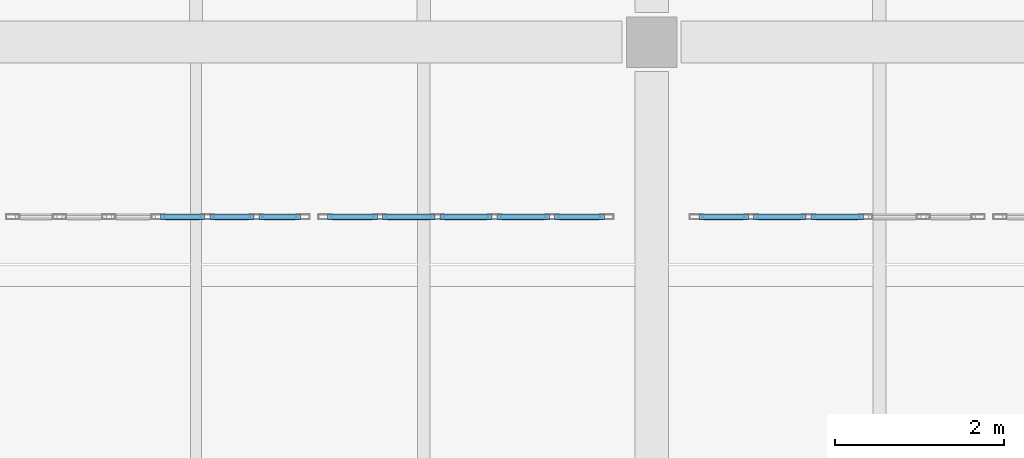
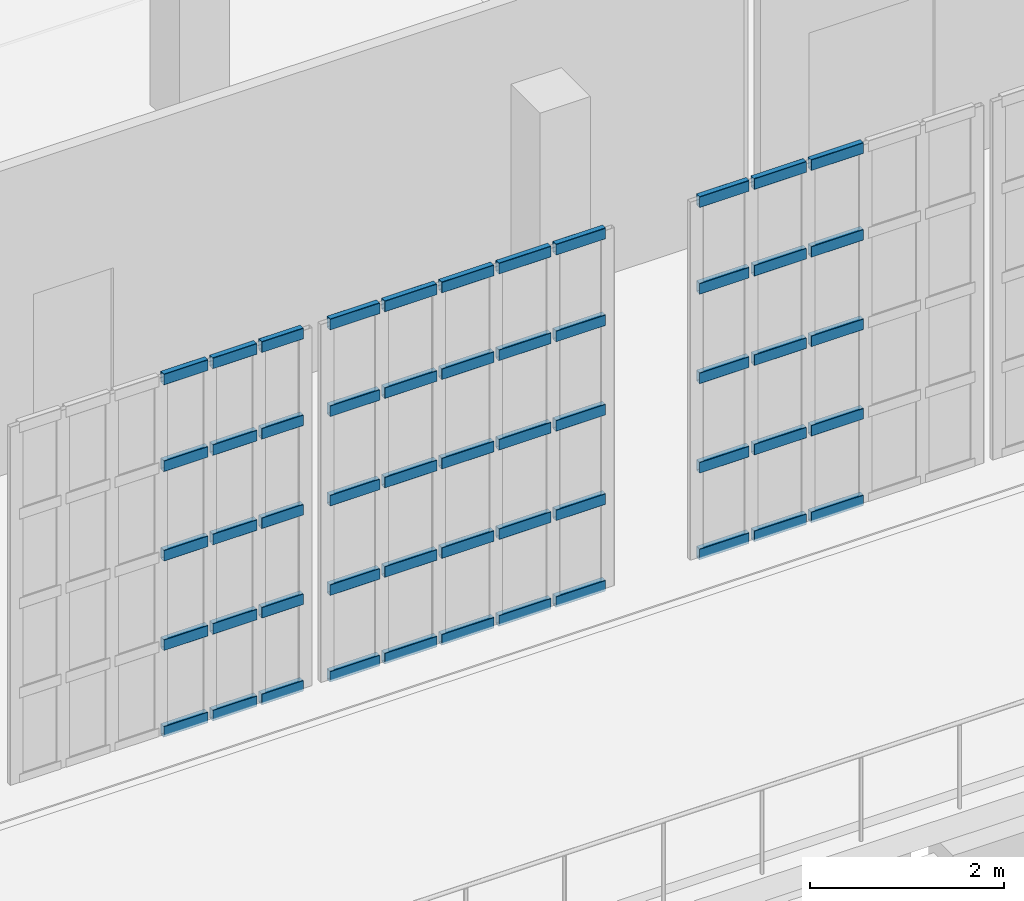
# One storey, part 54 of 104: 55 members, 3 elements without a shape of their own.
"""IFC4 building model written with IfcOpenShell, lengths in metres."""

import ifcopenshell
import ifcopenshell.guid

model = None  # the IFC model being written
_history = None  # IfcOwnerHistory: only IFC2X3 demands one
_inside = {}  # id of a spatial element -> (the spatial element, [elements in it])
_under = {}  # id of a project, library or spatial element -> (it, [spatial elements below it])
_declared = {}  # id of a project -> (the project, [libraries it declares])
_typed = {}  # id of a type object -> (the type object, [elements of that type])
_made_of = {}  # id of a material, layer set ... -> (it, [elements and type objects made of it])


def new_model(schema):
    """Start an empty IFC model of exactly this schema.

    Asked for "IFC4X3", IfcOpenShell would pick the latest addendum, in which some entities
    have other attributes; the version numbers below select the first issue.
    IFC2X3 requires an IfcOwnerHistory on every rooted entity: one is made here for all.
    """
    global model, _history
    if schema == "IFC4X3":
        model = ifcopenshell.file(schema_version=(4, 3, 0, 0))
    else:
        model = ifcopenshell.file(schema=schema)
    _inside.clear()
    _under.clear()
    _declared.clear()
    _typed.clear()
    _made_of.clear()
    _history = None
    if model.schema == "IFC2X3":
        org = make("IfcOrganization", Name="unknown")
        user = make(
            "IfcPersonAndOrganization",
            ThePerson=make("IfcPerson", FamilyName="unknown"),
            TheOrganization=org,
        )
        app = make(
            "IfcApplication",
            ApplicationDeveloper=org,
            Version="unknown",
            ApplicationFullName="unknown",
            ApplicationIdentifier="unknown",
        )
        _history = make(
            "IfcOwnerHistory",
            OwningUser=user,
            OwningApplication=app,
            ChangeAction="ADDED",
            CreationDate=0,
        )
    return model


def make(cls, **values):
    """One entity of the class cls with the attributes given. An attribute that is None is left unset."""
    return model.create_entity(
        cls, **{name: value for name, value in values.items() if value is not None}
    )


def rooted(cls, **values):
    """An entity with a GlobalId (a new one), such as an element, a storey or a relation."""
    return make(cls, GlobalId=ifcopenshell.guid.new(), OwnerHistory=_history, **values)


def si_unit(unit_type, name, prefix=None):
    """IfcSIUnit, for example si_unit("LENGTHUNIT", "METRE", prefix="MILLI")."""
    return make("IfcSIUnit", UnitType=unit_type, Prefix=prefix, Name=name)


def assignment(units):
    """IfcUnitAssignment: the units of a project."""
    return None if units is None else make("IfcUnitAssignment", Units=units)


def point(xyz):
    """IfcCartesianPoint."""
    return None if xyz is None else make("IfcCartesianPoint", Coordinates=xyz)


def direction(xyz):
    """IfcDirection."""
    return None if xyz is None else make("IfcDirection", DirectionRatios=xyz)


def frame(location, z_axis=None, x_axis=None):
    """IfcAxis2Placement3D, a coordinate frame: its origin and axes. An axis left out is left unset."""
    return make(
        "IfcAxis2Placement3D",
        Location=point(location),
        Axis=direction(z_axis),
        RefDirection=direction(x_axis),
    )


def frame_2d(location, x_axis=None):
    """IfcAxis2Placement2D, a coordinate frame in the plane: its origin and x axis."""
    return make(
        "IfcAxis2Placement2D", Location=point(location), RefDirection=direction(x_axis)
    )


def origin():
    """The frame at (0, 0, 0) with its axes left unset."""
    return frame((0.0, 0.0, 0.0))


def origin_2d():
    """The frame at (0, 0) in the plane with its x axis left unset."""
    return frame_2d((0.0, 0.0))


def place(relative_to, where):
    """IfcLocalPlacement: puts the frame where relative to a parent placement (None: the world)."""
    return make(
        "IfcLocalPlacement", PlacementRelTo=relative_to, RelativePlacement=where
    )


def context(
    kind, dimensions, precision=None, world=None, true_north=None, identifier=None
):
    """IfcGeometricRepresentationContext, for example the 3D "Model" context."""
    return make(
        "IfcGeometricRepresentationContext",
        ContextIdentifier=identifier,
        ContextType=kind,
        CoordinateSpaceDimension=dimensions,
        Precision=precision,
        WorldCoordinateSystem=world,
        TrueNorth=true_north,
    )


def subcontext(parent, identifier, kind, view, scale=None):
    """IfcGeometricRepresentationSubContext, for example "Body" below "Model"."""
    return make(
        "IfcGeometricRepresentationSubContext",
        ContextIdentifier=identifier,
        ContextType=kind,
        ParentContext=parent,
        TargetScale=scale,
        TargetView=view,
    )


def project(units=None, contexts=None):
    """IfcProject with its units and contexts."""
    return rooted(
        "IfcProject",
        Name="project",
        RepresentationContexts=contexts,
        UnitsInContext=assignment(units),
    )


def spatial(cls, under=None, at=None, **own):
    """A site, building, storey or space (cls), placed at a placement, below another one or the project."""
    s = rooted(cls, ObjectPlacement=at, **own)
    if under is not None:
        _under.setdefault(under.id(), (under, []))[1].append(s)
    return s


def profile(cls, at=None, kind="AREA", **sizes):
    """A parametric profile (cls). Its sizes go by their IFC names, for example OverallWidth=200.0."""
    return make(cls, ProfileType=kind, Position=at, **sizes)


def hollow_rectangle(**sizes):
    """IfcRectangleHollowProfileDef."""
    return profile("IfcRectangleHollowProfileDef", **sizes)


def extrude(swept, where, along, depth):
    """IfcExtrudedAreaSolid: the profile swept, set in the frame where, extruded along a direction by depth."""
    return make(
        "IfcExtrudedAreaSolid",
        SweptArea=swept,
        Position=where,
        ExtrudedDirection=direction(along),
        Depth=depth,
    )


def shape(context_of_items, identifier, shape_type, items):
    """IfcShapeRepresentation: the items that make up one representation, for example the "Body"."""
    return make(
        "IfcShapeRepresentation",
        ContextOfItems=context_of_items,
        RepresentationIdentifier=identifier,
        RepresentationType=shape_type,
        Items=items,
    )


def material(Name=None, Category=None):
    """IfcMaterial."""
    return make("IfcMaterial", Name=Name, Category=Category)


def material_profile(
    of_material, cross_section, Name=None, Category=None, Priority=None
):
    """IfcMaterialProfile: a cross section and its material."""
    return make(
        "IfcMaterialProfile",
        Name=Name,
        Material=of_material,
        Profile=cross_section,
        Priority=Priority,
        Category=Category,
    )


def profile_set(profiles, Name=None, composite=None):
    """IfcMaterialProfileSet."""
    return make(
        "IfcMaterialProfileSet",
        Name=Name,
        MaterialProfiles=profiles,
        CompositeProfile=composite,
    )


def made_of(thing, what):
    """Note that an element or type object is made of a material, layer set ...; save() writes the relation."""
    if what is not None:
        _made_of.setdefault(what.id(), (what, []))[1].append(thing)
    return thing


def type_object(cls, material=None, **own):
    """A type object (cls), such as IfcWallType, which elements share."""
    return made_of(rooted(cls, **own), material)


def element(
    cls,
    number,
    at=None,
    inside=None,
    cuts=None,
    type_object=None,
    material=None,
    context=None,
    identifier="Body",
    shape_type=None,
    held_by="IfcProductDefinitionShape",
    body=None,
    shapes=None,
    **own,
):
    """One element of the class cls, such as IfcWall. Its Tag is "e" and its number.

    at: its placement. inside: the storey or other place that contains it. cuts: it is an
    opening in that element (IfcRelVoidsElement). A single representation is given by context,
    identifier, shape_type and body (its items); several are given by shapes. held_by: the class
    of the entity that holds the representations. save() writes the other relations.
    """
    e = rooted(cls, Tag="e%d" % number, ObjectPlacement=at, **own)
    if body is not None:
        shapes = [shape(context, identifier, shape_type, body)]
    if shapes is not None:
        e.Representation = make(held_by, Representations=shapes)
    if inside is not None:
        _inside.setdefault(inside.id(), (inside, []))[1].append(e)
    if cuts is not None:
        rooted(
            "IfcRelVoidsElement", RelatingBuildingElement=cuts, RelatedOpeningElement=e
        )
    if type_object is not None:
        _typed.setdefault(type_object.id(), (type_object, []))[1].append(e)
    return made_of(e, material)


def aggregate(whole, parts):
    """IfcRelAggregates: a whole, such as a stair, and the parts it consists of."""
    return rooted("IfcRelAggregates", RelatingObject=whole, RelatedObjects=parts)


def save(model, path):
    """Write the relations noted so far, then the file.

    IfcRelAggregates (storeys below a building ...), IfcRelContainedInSpatialStructure (elements
    in a storey), IfcRelDefinesByType, IfcRelAssociatesMaterial and IfcRelDeclares: one each for
    every whole, place, type object, material and project.
    """
    for whole, parts in _under.values():
        aggregate(whole, parts)
    for where, things in _inside.values():
        rooted(
            "IfcRelContainedInSpatialStructure",
            RelatedElements=things,
            RelatingStructure=where,
        )
    for kind, things in _typed.values():
        rooted("IfcRelDefinesByType", RelatedObjects=things, RelatingType=kind)
    for what, things in _made_of.values():
        rooted("IfcRelAssociatesMaterial", RelatedObjects=things, RelatingMaterial=what)
    for by, libraries in _declared.values():
        rooted("IfcRelDeclares", RelatingContext=by, RelatedDefinitions=libraries)
    model.write(path)


model = new_model("IFC4")

# Units and contexts
model_context = context("Model", 3, precision=1e-05, world=origin(), true_north=direction((0.0, 1.0)))
body_context = subcontext(model_context, "Body", "Model", "MODEL_VIEW")
ifc_project = project(units=[si_unit("LENGTHUNIT", "METRE"), si_unit("AREAUNIT", "SQUARE_METRE"), si_unit("VOLUMEUNIT", "CUBIC_METRE"), si_unit("PLANEANGLEUNIT", "RADIAN"), si_unit("MASSUNIT", "GRAM", prefix="KILO")], contexts=[model_context])

# Site, building, storey
site_placement = place(None, origin())
site = spatial("IfcSite", under=ifc_project, at=site_placement, CompositionType="ELEMENT")
building_placement = place(site_placement, origin())
building = spatial("IfcBuilding", under=site, at=building_placement, Name="Kaelora Sail Theatre", CompositionType="ELEMENT")
storey_placement = place(building_placement, frame((0.0, 0.0, 5.39990234375)))
storey = spatial("IfcBuildingStorey", under=building, at=storey_placement, Name="L01", CompositionType="ELEMENT", Elevation=5.39990234375)

# Curtain wall, members
ifc_material_1 = material(Name="Anodised aluminium and solar-control low-E IGU", Category="aluminium")
curtain_wall_type = type_object("IfcCurtainWallType", Name="ARC-CW-CW-FOY2", PredefinedType="NOTDEFINED", material=ifc_material_1)
curtain_wall_1_placement = place(storey_placement, origin())
curtain_wall_1 = element("IfcCurtainWall", 1, at=curtain_wall_1_placement, inside=storey, type_object=curtain_wall_type, Name="Glazed Foyer/Conservatory Curtain Wall FW1-S-L01-02", PredefinedType="NOTDEFINED")
ifc_material_2 = material(Name="Anodised aluminium 6063-T6", Category="aluminium")
ifc_material_profile = material_profile(ifc_material_2, hollow_rectangle(XDim=0.070068359375, YDim=0.139892578125, WallThickness=0.00390625, InnerFilletRadius=0.00390625, OuterFilletRadius=0.008056640625, at=origin_2d()), Name="ALU-TRAN 70x140x4")
ifc_profile_set = profile_set([ifc_material_profile], Name="Anodised aluminium 6063-T6")
member_type = type_object("IfcMemberType", Name="ARC-MEM-TR-140", PredefinedType="USERDEFINED", material=ifc_profile_set)
member_1_placement = place(storey_placement, frame((11.8798828125, 66.389892578125, 0.03515625), z_axis=(1.0, 0.0, 0.0), x_axis=(0.0, 1.0, 0.0)))
member_1 = element("IfcMember", 2, at=member_1_placement, type_object=member_type, Name="CW-FOY2 transom 4.1", ObjectType="TRANSOM", PredefinedType="USERDEFINED", context=body_context, shape_type="SweptSolid", body=[
    extrude(hollow_rectangle(XDim=0.070068359375, YDim=0.139892578125, WallThickness=0.00390625, InnerFilletRadius=0.00390625, OuterFilletRadius=0.008056640625, at=origin_2d()), origin(), (0.0, 0.0, 1.0), 0.5234375),
])
member_2_placement = place(storey_placement, frame((11.8798828125, 66.389892578125, 1.12646484375), z_axis=(1.0, 0.0, 0.0), x_axis=(0.0, 1.0, 0.0)))
member_2 = element("IfcMember", 3, at=member_2_placement, type_object=member_type, Name="CW-FOY2 transom 4.2", ObjectType="TRANSOM", PredefinedType="USERDEFINED", context=body_context, shape_type="SweptSolid", body=[
    extrude(hollow_rectangle(XDim=0.070068359375, YDim=0.139892578125, WallThickness=0.00390625, InnerFilletRadius=0.00390625, OuterFilletRadius=0.008056640625, at=origin_2d()), origin(), (0.0, 0.0, 1.0), 0.5234375),
])
member_3_placement = place(storey_placement, frame((11.8798828125, 66.389892578125, 2.252685546875), z_axis=(1.0, 0.0, 0.0), x_axis=(0.0, 1.0, 0.0)))
member_3 = element("IfcMember", 4, at=member_3_placement, type_object=member_type, Name="CW-FOY2 transom 4.3", ObjectType="TRANSOM", PredefinedType="USERDEFINED", context=body_context, shape_type="SweptSolid", body=[
    extrude(hollow_rectangle(XDim=0.070068359375, YDim=0.139892578125, WallThickness=0.00390625, InnerFilletRadius=0.00390625, OuterFilletRadius=0.008056640625, at=origin_2d()), origin(), (0.0, 0.0, 1.0), 0.5234375),
])
member_4_placement = place(storey_placement, frame((11.8798828125, 66.389892578125, 3.37890625), z_axis=(1.0, 0.0, 0.0), x_axis=(0.0, 1.0, 0.0)))
member_4 = element("IfcMember", 5, at=member_4_placement, type_object=member_type, Name="CW-FOY2 transom 4.4", ObjectType="TRANSOM", PredefinedType="USERDEFINED", context=body_context, shape_type="SweptSolid", body=[
    extrude(hollow_rectangle(XDim=0.070068359375, YDim=0.139892578125, WallThickness=0.00390625, InnerFilletRadius=0.00390625, OuterFilletRadius=0.008056640625, at=origin_2d()), origin(), (0.0, 0.0, 1.0), 0.5234375),
])
member_5_placement = place(storey_placement, frame((11.8798828125, 66.389892578125, 4.47021484375), z_axis=(1.0, 0.0, 0.0), x_axis=(0.0, 1.0, 0.0)))
member_5 = element("IfcMember", 6, at=member_5_placement, type_object=member_type, Name="CW-FOY2 transom 4.5", ObjectType="TRANSOM", PredefinedType="USERDEFINED", context=body_context, shape_type="SweptSolid", body=[
    extrude(hollow_rectangle(XDim=0.070068359375, YDim=0.139892578125, WallThickness=0.00390625, InnerFilletRadius=0.00390625, OuterFilletRadius=0.008056640625, at=origin_2d()), origin(), (0.0, 0.0, 1.0), 0.5234375),
])
member_6_placement = place(storey_placement, frame((12.46337890625, 66.389892578125, 0.03515625), z_axis=(1.0, 0.0, 0.0), x_axis=(0.0, 1.0, 0.0)))
member_6 = element("IfcMember", 7, at=member_6_placement, type_object=member_type, Name="CW-FOY2 transom 5.1", ObjectType="TRANSOM", PredefinedType="USERDEFINED", context=body_context, shape_type="SweptSolid", body=[
    extrude(hollow_rectangle(XDim=0.070068359375, YDim=0.139892578125, WallThickness=0.00390625, InnerFilletRadius=0.00390625, OuterFilletRadius=0.008056640625, at=origin_2d()), origin(), (0.0, 0.0, 1.0), 0.523193359375),
])
member_7_placement = place(storey_placement, frame((12.46337890625, 66.389892578125, 1.12646484375), z_axis=(1.0, 0.0, 0.0), x_axis=(0.0, 1.0, 0.0)))
member_7 = element("IfcMember", 8, at=member_7_placement, type_object=member_type, Name="CW-FOY2 transom 5.2", ObjectType="TRANSOM", PredefinedType="USERDEFINED", context=body_context, shape_type="SweptSolid", body=[
    extrude(hollow_rectangle(XDim=0.070068359375, YDim=0.139892578125, WallThickness=0.00390625, InnerFilletRadius=0.00390625, OuterFilletRadius=0.008056640625, at=origin_2d()), origin(), (0.0, 0.0, 1.0), 0.523193359375),
])
member_8_placement = place(storey_placement, frame((12.46337890625, 66.389892578125, 2.252685546875), z_axis=(1.0, 0.0, 0.0), x_axis=(0.0, 1.0, 0.0)))
member_8 = element("IfcMember", 9, at=member_8_placement, type_object=member_type, Name="CW-FOY2 transom 5.3", ObjectType="TRANSOM", PredefinedType="USERDEFINED", context=body_context, shape_type="SweptSolid", body=[
    extrude(hollow_rectangle(XDim=0.070068359375, YDim=0.139892578125, WallThickness=0.00390625, InnerFilletRadius=0.00390625, OuterFilletRadius=0.008056640625, at=origin_2d()), origin(), (0.0, 0.0, 1.0), 0.523193359375),
])
member_9_placement = place(storey_placement, frame((12.46337890625, 66.389892578125, 3.37890625), z_axis=(1.0, 0.0, 0.0), x_axis=(0.0, 1.0, 0.0)))
member_9 = element("IfcMember", 10, at=member_9_placement, type_object=member_type, Name="CW-FOY2 transom 5.4", ObjectType="TRANSOM", PredefinedType="USERDEFINED", context=body_context, shape_type="SweptSolid", body=[
    extrude(hollow_rectangle(XDim=0.070068359375, YDim=0.139892578125, WallThickness=0.00390625, InnerFilletRadius=0.00390625, OuterFilletRadius=0.008056640625, at=origin_2d()), origin(), (0.0, 0.0, 1.0), 0.523193359375),
])
member_10_placement = place(storey_placement, frame((12.46337890625, 66.389892578125, 4.47021484375), z_axis=(1.0, 0.0, 0.0), x_axis=(0.0, 1.0, 0.0)))
member_10 = element("IfcMember", 11, at=member_10_placement, type_object=member_type, Name="CW-FOY2 transom 5.5", ObjectType="TRANSOM", PredefinedType="USERDEFINED", context=body_context, shape_type="SweptSolid", body=[
    extrude(hollow_rectangle(XDim=0.070068359375, YDim=0.139892578125, WallThickness=0.00390625, InnerFilletRadius=0.00390625, OuterFilletRadius=0.008056640625, at=origin_2d()), origin(), (0.0, 0.0, 1.0), 0.523193359375),
])
member_11_placement = place(storey_placement, frame((13.046630859375, 66.389892578125, 0.03515625), z_axis=(1.0, 0.0, 0.0), x_axis=(0.0, 1.0, 0.0)))
member_11 = element("IfcMember", 12, at=member_11_placement, type_object=member_type, Name="CW-FOY2 transom 6.1", ObjectType="TRANSOM", PredefinedType="USERDEFINED", context=body_context, shape_type="SweptSolid", body=[
    extrude(hollow_rectangle(XDim=0.070068359375, YDim=0.139892578125, WallThickness=0.00390625, InnerFilletRadius=0.00390625, OuterFilletRadius=0.008056640625, at=origin_2d()), origin(), (0.0, 0.0, 1.0), 0.493408203125),
])
member_12_placement = place(storey_placement, frame((13.046630859375, 66.389892578125, 1.12646484375), z_axis=(1.0, 0.0, 0.0), x_axis=(0.0, 1.0, 0.0)))
member_12 = element("IfcMember", 13, at=member_12_placement, type_object=member_type, Name="CW-FOY2 transom 6.2", ObjectType="TRANSOM", PredefinedType="USERDEFINED", context=body_context, shape_type="SweptSolid", body=[
    extrude(hollow_rectangle(XDim=0.070068359375, YDim=0.139892578125, WallThickness=0.00390625, InnerFilletRadius=0.00390625, OuterFilletRadius=0.008056640625, at=origin_2d()), origin(), (0.0, 0.0, 1.0), 0.493408203125),
])
member_13_placement = place(storey_placement, frame((13.046630859375, 66.389892578125, 2.252685546875), z_axis=(1.0, 0.0, 0.0), x_axis=(0.0, 1.0, 0.0)))
member_13 = element("IfcMember", 14, at=member_13_placement, type_object=member_type, Name="CW-FOY2 transom 6.3", ObjectType="TRANSOM", PredefinedType="USERDEFINED", context=body_context, shape_type="SweptSolid", body=[
    extrude(hollow_rectangle(XDim=0.070068359375, YDim=0.139892578125, WallThickness=0.00390625, InnerFilletRadius=0.00390625, OuterFilletRadius=0.008056640625, at=origin_2d()), origin(), (0.0, 0.0, 1.0), 0.493408203125),
])
member_14_placement = place(storey_placement, frame((13.046630859375, 66.389892578125, 3.37890625), z_axis=(1.0, 0.0, 0.0), x_axis=(0.0, 1.0, 0.0)))
member_14 = element("IfcMember", 15, at=member_14_placement, type_object=member_type, Name="CW-FOY2 transom 6.4", ObjectType="TRANSOM", PredefinedType="USERDEFINED", context=body_context, shape_type="SweptSolid", body=[
    extrude(hollow_rectangle(XDim=0.070068359375, YDim=0.139892578125, WallThickness=0.00390625, InnerFilletRadius=0.00390625, OuterFilletRadius=0.008056640625, at=origin_2d()), origin(), (0.0, 0.0, 1.0), 0.493408203125),
])
member_15_placement = place(storey_placement, frame((13.046630859375, 66.389892578125, 4.47021484375), z_axis=(1.0, 0.0, 0.0), x_axis=(0.0, 1.0, 0.0)))
member_15 = element("IfcMember", 16, at=member_15_placement, type_object=member_type, Name="CW-FOY2 transom 6.5", ObjectType="TRANSOM", PredefinedType="USERDEFINED", context=body_context, shape_type="SweptSolid", body=[
    extrude(hollow_rectangle(XDim=0.070068359375, YDim=0.139892578125, WallThickness=0.00390625, InnerFilletRadius=0.00390625, OuterFilletRadius=0.008056640625, at=origin_2d()), origin(), (0.0, 0.0, 1.0), 0.493408203125),
])
aggregate(curtain_wall_1, [member_1, member_2, member_3, member_4, member_5, member_6, member_7, member_8, member_9, member_10, member_11, member_12, member_13, member_14, member_15])

curtain_wall_2_placement = place(storey_placement, origin())
curtain_wall_2 = element("IfcCurtainWall", 17, at=curtain_wall_2_placement, inside=storey, type_object=curtain_wall_type, Name="Glazed Foyer/Conservatory Curtain Wall FW1-S-L01-03", PredefinedType="NOTDEFINED")
member_16_placement = place(storey_placement, frame((13.860107421875, 66.389892578125, 0.03515625), z_axis=(1.0, 0.0, 0.0), x_axis=(0.0, 1.0, 0.0)))
member_16 = element("IfcMember", 18, at=member_16_placement, type_object=member_type, Name="CW-FOY2 transom 1.1", ObjectType="TRANSOM", PredefinedType="USERDEFINED", context=body_context, shape_type="SweptSolid", body=[
    extrude(hollow_rectangle(XDim=0.070068359375, YDim=0.139892578125, WallThickness=0.00390625, InnerFilletRadius=0.00390625, OuterFilletRadius=0.008056640625, at=origin_2d()), origin(), (0.0, 0.0, 1.0), 0.58984375),
])
member_17_placement = place(storey_placement, frame((13.860107421875, 66.389892578125, 1.12646484375), z_axis=(1.0, 0.0, 0.0), x_axis=(0.0, 1.0, 0.0)))
member_17 = element("IfcMember", 19, at=member_17_placement, type_object=member_type, Name="CW-FOY2 transom 1.2", ObjectType="TRANSOM", PredefinedType="USERDEFINED", context=body_context, shape_type="SweptSolid", body=[
    extrude(hollow_rectangle(XDim=0.070068359375, YDim=0.139892578125, WallThickness=0.00390625, InnerFilletRadius=0.00390625, OuterFilletRadius=0.008056640625, at=origin_2d()), origin(), (0.0, 0.0, 1.0), 0.58984375),
])
member_18_placement = place(storey_placement, frame((13.860107421875, 66.389892578125, 2.252685546875), z_axis=(1.0, 0.0, 0.0), x_axis=(0.0, 1.0, 0.0)))
member_18 = element("IfcMember", 20, at=member_18_placement, type_object=member_type, Name="CW-FOY2 transom 1.3", ObjectType="TRANSOM", PredefinedType="USERDEFINED", context=body_context, shape_type="SweptSolid", body=[
    extrude(hollow_rectangle(XDim=0.070068359375, YDim=0.139892578125, WallThickness=0.00390625, InnerFilletRadius=0.00390625, OuterFilletRadius=0.008056640625, at=origin_2d()), origin(), (0.0, 0.0, 1.0), 0.58984375),
])
member_19_placement = place(storey_placement, frame((13.860107421875, 66.389892578125, 3.37890625), z_axis=(1.0, 0.0, 0.0), x_axis=(0.0, 1.0, 0.0)))
member_19 = element("IfcMember", 21, at=member_19_placement, type_object=member_type, Name="CW-FOY2 transom 1.4", ObjectType="TRANSOM", PredefinedType="USERDEFINED", context=body_context, shape_type="SweptSolid", body=[
    extrude(hollow_rectangle(XDim=0.070068359375, YDim=0.139892578125, WallThickness=0.00390625, InnerFilletRadius=0.00390625, OuterFilletRadius=0.008056640625, at=origin_2d()), origin(), (0.0, 0.0, 1.0), 0.58984375),
])
member_20_placement = place(storey_placement, frame((13.860107421875, 66.389892578125, 4.47021484375), z_axis=(1.0, 0.0, 0.0), x_axis=(0.0, 1.0, 0.0)))
member_20 = element("IfcMember", 22, at=member_20_placement, type_object=member_type, Name="CW-FOY2 transom 1.5", ObjectType="TRANSOM", PredefinedType="USERDEFINED", context=body_context, shape_type="SweptSolid", body=[
    extrude(hollow_rectangle(XDim=0.070068359375, YDim=0.139892578125, WallThickness=0.00390625, InnerFilletRadius=0.00390625, OuterFilletRadius=0.008056640625, at=origin_2d()), origin(), (0.0, 0.0, 1.0), 0.58984375),
])
member_21_placement = place(storey_placement, frame((14.510009765625, 66.389892578125, 0.03515625), z_axis=(1.0, 0.0, 0.0), x_axis=(0.0, 1.0, 0.0)))
member_21 = element("IfcMember", 23, at=member_21_placement, type_object=member_type, Name="CW-FOY2 transom 2.1", ObjectType="TRANSOM", PredefinedType="USERDEFINED", context=body_context, shape_type="SweptSolid", body=[
    extrude(hollow_rectangle(XDim=0.070068359375, YDim=0.139892578125, WallThickness=0.00390625, InnerFilletRadius=0.00390625, OuterFilletRadius=0.008056640625, at=origin_2d()), origin(), (0.0, 0.0, 1.0), 0.619873046875),
])
member_22_placement = place(storey_placement, frame((14.510009765625, 66.389892578125, 1.12646484375), z_axis=(1.0, 0.0, 0.0), x_axis=(0.0, 1.0, 0.0)))
member_22 = element("IfcMember", 24, at=member_22_placement, type_object=member_type, Name="CW-FOY2 transom 2.2", ObjectType="TRANSOM", PredefinedType="USERDEFINED", context=body_context, shape_type="SweptSolid", body=[
    extrude(hollow_rectangle(XDim=0.070068359375, YDim=0.139892578125, WallThickness=0.00390625, InnerFilletRadius=0.00390625, OuterFilletRadius=0.008056640625, at=origin_2d()), origin(), (0.0, 0.0, 1.0), 0.619873046875),
])
member_23_placement = place(storey_placement, frame((14.510009765625, 66.389892578125, 2.252685546875), z_axis=(1.0, 0.0, 0.0), x_axis=(0.0, 1.0, 0.0)))
member_23 = element("IfcMember", 25, at=member_23_placement, type_object=member_type, Name="CW-FOY2 transom 2.3", ObjectType="TRANSOM", PredefinedType="USERDEFINED", context=body_context, shape_type="SweptSolid", body=[
    extrude(hollow_rectangle(XDim=0.070068359375, YDim=0.139892578125, WallThickness=0.00390625, InnerFilletRadius=0.00390625, OuterFilletRadius=0.008056640625, at=origin_2d()), origin(), (0.0, 0.0, 1.0), 0.619873046875),
])
member_24_placement = place(storey_placement, frame((14.510009765625, 66.389892578125, 3.37890625), z_axis=(1.0, 0.0, 0.0), x_axis=(0.0, 1.0, 0.0)))
member_24 = element("IfcMember", 26, at=member_24_placement, type_object=member_type, Name="CW-FOY2 transom 2.4", ObjectType="TRANSOM", PredefinedType="USERDEFINED", context=body_context, shape_type="SweptSolid", body=[
    extrude(hollow_rectangle(XDim=0.070068359375, YDim=0.139892578125, WallThickness=0.00390625, InnerFilletRadius=0.00390625, OuterFilletRadius=0.008056640625, at=origin_2d()), origin(), (0.0, 0.0, 1.0), 0.619873046875),
])
member_25_placement = place(storey_placement, frame((14.510009765625, 66.389892578125, 4.47021484375), z_axis=(1.0, 0.0, 0.0), x_axis=(0.0, 1.0, 0.0)))
member_25 = element("IfcMember", 27, at=member_25_placement, type_object=member_type, Name="CW-FOY2 transom 2.5", ObjectType="TRANSOM", PredefinedType="USERDEFINED", context=body_context, shape_type="SweptSolid", body=[
    extrude(hollow_rectangle(XDim=0.070068359375, YDim=0.139892578125, WallThickness=0.00390625, InnerFilletRadius=0.00390625, OuterFilletRadius=0.008056640625, at=origin_2d()), origin(), (0.0, 0.0, 1.0), 0.619873046875),
])
member_26_placement = place(storey_placement, frame((15.18994140625, 66.389892578125, 0.03515625), z_axis=(1.0, 0.0, 0.0), x_axis=(0.0, 1.0, 0.0)))
member_26 = element("IfcMember", 28, at=member_26_placement, type_object=member_type, Name="CW-FOY2 transom 3.1", ObjectType="TRANSOM", PredefinedType="USERDEFINED", context=body_context, shape_type="SweptSolid", body=[
    extrude(hollow_rectangle(XDim=0.070068359375, YDim=0.139892578125, WallThickness=0.00390625, InnerFilletRadius=0.00390625, OuterFilletRadius=0.008056640625, at=origin_2d()), origin(), (0.0, 0.0, 1.0), 0.6201171875),
])
member_27_placement = place(storey_placement, frame((15.18994140625, 66.389892578125, 1.12646484375), z_axis=(1.0, 0.0, 0.0), x_axis=(0.0, 1.0, 0.0)))
member_27 = element("IfcMember", 29, at=member_27_placement, type_object=member_type, Name="CW-FOY2 transom 3.2", ObjectType="TRANSOM", PredefinedType="USERDEFINED", context=body_context, shape_type="SweptSolid", body=[
    extrude(hollow_rectangle(XDim=0.070068359375, YDim=0.139892578125, WallThickness=0.00390625, InnerFilletRadius=0.00390625, OuterFilletRadius=0.008056640625, at=origin_2d()), origin(), (0.0, 0.0, 1.0), 0.6201171875),
])
member_28_placement = place(storey_placement, frame((15.18994140625, 66.389892578125, 2.252685546875), z_axis=(1.0, 0.0, 0.0), x_axis=(0.0, 1.0, 0.0)))
member_28 = element("IfcMember", 30, at=member_28_placement, type_object=member_type, Name="CW-FOY2 transom 3.3", ObjectType="TRANSOM", PredefinedType="USERDEFINED", context=body_context, shape_type="SweptSolid", body=[
    extrude(hollow_rectangle(XDim=0.070068359375, YDim=0.139892578125, WallThickness=0.00390625, InnerFilletRadius=0.00390625, OuterFilletRadius=0.008056640625, at=origin_2d()), origin(), (0.0, 0.0, 1.0), 0.6201171875),
])
member_29_placement = place(storey_placement, frame((15.18994140625, 66.389892578125, 3.37890625), z_axis=(1.0, 0.0, 0.0), x_axis=(0.0, 1.0, 0.0)))
member_29 = element("IfcMember", 31, at=member_29_placement, type_object=member_type, Name="CW-FOY2 transom 3.4", ObjectType="TRANSOM", PredefinedType="USERDEFINED", context=body_context, shape_type="SweptSolid", body=[
    extrude(hollow_rectangle(XDim=0.070068359375, YDim=0.139892578125, WallThickness=0.00390625, InnerFilletRadius=0.00390625, OuterFilletRadius=0.008056640625, at=origin_2d()), origin(), (0.0, 0.0, 1.0), 0.6201171875),
])
member_30_placement = place(storey_placement, frame((15.18994140625, 66.389892578125, 4.47021484375), z_axis=(1.0, 0.0, 0.0), x_axis=(0.0, 1.0, 0.0)))
member_30 = element("IfcMember", 32, at=member_30_placement, type_object=member_type, Name="CW-FOY2 transom 3.5", ObjectType="TRANSOM", PredefinedType="USERDEFINED", context=body_context, shape_type="SweptSolid", body=[
    extrude(hollow_rectangle(XDim=0.070068359375, YDim=0.139892578125, WallThickness=0.00390625, InnerFilletRadius=0.00390625, OuterFilletRadius=0.008056640625, at=origin_2d()), origin(), (0.0, 0.0, 1.0), 0.6201171875),
])
member_31_placement = place(storey_placement, frame((15.8701171875, 66.389892578125, 0.03515625), z_axis=(1.0, 0.0, 0.0), x_axis=(0.0, 1.0, 0.0)))
member_31 = element("IfcMember", 33, at=member_31_placement, type_object=member_type, Name="CW-FOY2 transom 4.1", ObjectType="TRANSOM", PredefinedType="USERDEFINED", context=body_context, shape_type="SweptSolid", body=[
    extrude(hollow_rectangle(XDim=0.070068359375, YDim=0.139892578125, WallThickness=0.00390625, InnerFilletRadius=0.00390625, OuterFilletRadius=0.008056640625, at=origin_2d()), origin(), (0.0, 0.0, 1.0), 0.619873046875),
])
member_32_placement = place(storey_placement, frame((15.8701171875, 66.389892578125, 1.12646484375), z_axis=(1.0, 0.0, 0.0), x_axis=(0.0, 1.0, 0.0)))
member_32 = element("IfcMember", 34, at=member_32_placement, type_object=member_type, Name="CW-FOY2 transom 4.2", ObjectType="TRANSOM", PredefinedType="USERDEFINED", context=body_context, shape_type="SweptSolid", body=[
    extrude(hollow_rectangle(XDim=0.070068359375, YDim=0.139892578125, WallThickness=0.00390625, InnerFilletRadius=0.00390625, OuterFilletRadius=0.008056640625, at=origin_2d()), origin(), (0.0, 0.0, 1.0), 0.619873046875),
])
member_33_placement = place(storey_placement, frame((15.8701171875, 66.389892578125, 2.252685546875), z_axis=(1.0, 0.0, 0.0), x_axis=(0.0, 1.0, 0.0)))
member_33 = element("IfcMember", 35, at=member_33_placement, type_object=member_type, Name="CW-FOY2 transom 4.3", ObjectType="TRANSOM", PredefinedType="USERDEFINED", context=body_context, shape_type="SweptSolid", body=[
    extrude(hollow_rectangle(XDim=0.070068359375, YDim=0.139892578125, WallThickness=0.00390625, InnerFilletRadius=0.00390625, OuterFilletRadius=0.008056640625, at=origin_2d()), origin(), (0.0, 0.0, 1.0), 0.619873046875),
])
member_34_placement = place(storey_placement, frame((15.8701171875, 66.389892578125, 3.37890625), z_axis=(1.0, 0.0, 0.0), x_axis=(0.0, 1.0, 0.0)))
member_34 = element("IfcMember", 36, at=member_34_placement, type_object=member_type, Name="CW-FOY2 transom 4.4", ObjectType="TRANSOM", PredefinedType="USERDEFINED", context=body_context, shape_type="SweptSolid", body=[
    extrude(hollow_rectangle(XDim=0.070068359375, YDim=0.139892578125, WallThickness=0.00390625, InnerFilletRadius=0.00390625, OuterFilletRadius=0.008056640625, at=origin_2d()), origin(), (0.0, 0.0, 1.0), 0.619873046875),
])
member_35_placement = place(storey_placement, frame((15.8701171875, 66.389892578125, 4.47021484375), z_axis=(1.0, 0.0, 0.0), x_axis=(0.0, 1.0, 0.0)))
member_35 = element("IfcMember", 37, at=member_35_placement, type_object=member_type, Name="CW-FOY2 transom 4.5", ObjectType="TRANSOM", PredefinedType="USERDEFINED", context=body_context, shape_type="SweptSolid", body=[
    extrude(hollow_rectangle(XDim=0.070068359375, YDim=0.139892578125, WallThickness=0.00390625, InnerFilletRadius=0.00390625, OuterFilletRadius=0.008056640625, at=origin_2d()), origin(), (0.0, 0.0, 1.0), 0.619873046875),
])
member_36_placement = place(storey_placement, frame((16.550048828125, 66.389892578125, 0.03515625), z_axis=(1.0, 0.0, 0.0), x_axis=(0.0, 1.0, 0.0)))
member_36 = element("IfcMember", 38, at=member_36_placement, type_object=member_type, Name="CW-FOY2 transom 5.1", ObjectType="TRANSOM", PredefinedType="USERDEFINED", context=body_context, shape_type="SweptSolid", body=[
    extrude(hollow_rectangle(XDim=0.070068359375, YDim=0.139892578125, WallThickness=0.00390625, InnerFilletRadius=0.00390625, OuterFilletRadius=0.008056640625, at=origin_2d()), origin(), (0.0, 0.0, 1.0), 0.58984375),
])
member_37_placement = place(storey_placement, frame((16.550048828125, 66.389892578125, 1.12646484375), z_axis=(1.0, 0.0, 0.0), x_axis=(0.0, 1.0, 0.0)))
member_37 = element("IfcMember", 39, at=member_37_placement, type_object=member_type, Name="CW-FOY2 transom 5.2", ObjectType="TRANSOM", PredefinedType="USERDEFINED", context=body_context, shape_type="SweptSolid", body=[
    extrude(hollow_rectangle(XDim=0.070068359375, YDim=0.139892578125, WallThickness=0.00390625, InnerFilletRadius=0.00390625, OuterFilletRadius=0.008056640625, at=origin_2d()), origin(), (0.0, 0.0, 1.0), 0.58984375),
])
member_38_placement = place(storey_placement, frame((16.550048828125, 66.389892578125, 2.252685546875), z_axis=(1.0, 0.0, 0.0), x_axis=(0.0, 1.0, 0.0)))
member_38 = element("IfcMember", 40, at=member_38_placement, type_object=member_type, Name="CW-FOY2 transom 5.3", ObjectType="TRANSOM", PredefinedType="USERDEFINED", context=body_context, shape_type="SweptSolid", body=[
    extrude(hollow_rectangle(XDim=0.070068359375, YDim=0.139892578125, WallThickness=0.00390625, InnerFilletRadius=0.00390625, OuterFilletRadius=0.008056640625, at=origin_2d()), origin(), (0.0, 0.0, 1.0), 0.58984375),
])
member_39_placement = place(storey_placement, frame((16.550048828125, 66.389892578125, 3.37890625), z_axis=(1.0, 0.0, 0.0), x_axis=(0.0, 1.0, 0.0)))
member_39 = element("IfcMember", 41, at=member_39_placement, type_object=member_type, Name="CW-FOY2 transom 5.4", ObjectType="TRANSOM", PredefinedType="USERDEFINED", context=body_context, shape_type="SweptSolid", body=[
    extrude(hollow_rectangle(XDim=0.070068359375, YDim=0.139892578125, WallThickness=0.00390625, InnerFilletRadius=0.00390625, OuterFilletRadius=0.008056640625, at=origin_2d()), origin(), (0.0, 0.0, 1.0), 0.58984375),
])
member_40_placement = place(storey_placement, frame((16.550048828125, 66.389892578125, 4.47021484375), z_axis=(1.0, 0.0, 0.0), x_axis=(0.0, 1.0, 0.0)))
member_40 = element("IfcMember", 42, at=member_40_placement, type_object=member_type, Name="CW-FOY2 transom 5.5", ObjectType="TRANSOM", PredefinedType="USERDEFINED", context=body_context, shape_type="SweptSolid", body=[
    extrude(hollow_rectangle(XDim=0.070068359375, YDim=0.139892578125, WallThickness=0.00390625, InnerFilletRadius=0.00390625, OuterFilletRadius=0.008056640625, at=origin_2d()), origin(), (0.0, 0.0, 1.0), 0.58984375),
])
aggregate(curtain_wall_2, [member_16, member_17, member_18, member_19, member_20, member_21, member_22, member_23, member_24, member_25, member_26, member_27, member_28, member_29, member_30, member_31, member_32, member_33, member_34, member_35, member_36, member_37, member_38, member_39, member_40])

curtain_wall_3_placement = place(storey_placement, origin())
curtain_wall_3 = element("IfcCurtainWall", 43, at=curtain_wall_3_placement, inside=storey, type_object=curtain_wall_type, Name="Glazed Foyer/Conservatory Curtain Wall FW1-S-L01-04", PredefinedType="NOTDEFINED")
member_41_placement = place(storey_placement, frame((18.260009765625, 66.389892578125, 0.03515625), z_axis=(1.0, 0.0, 0.0), x_axis=(0.0, 1.0, 0.0)))
member_41 = element("IfcMember", 44, at=member_41_placement, type_object=member_type, Name="CW-FOY2 transom 1.1", ObjectType="TRANSOM", PredefinedType="USERDEFINED", context=body_context, shape_type="SweptSolid", body=[
    extrude(hollow_rectangle(XDim=0.070068359375, YDim=0.139892578125, WallThickness=0.00390625, InnerFilletRadius=0.00390625, OuterFilletRadius=0.008056640625, at=origin_2d()), origin(), (0.0, 0.0, 1.0), 0.590087890625),
])
member_42_placement = place(storey_placement, frame((18.260009765625, 66.389892578125, 1.12646484375), z_axis=(1.0, 0.0, 0.0), x_axis=(0.0, 1.0, 0.0)))
member_42 = element("IfcMember", 45, at=member_42_placement, type_object=member_type, Name="CW-FOY2 transom 1.2", ObjectType="TRANSOM", PredefinedType="USERDEFINED", context=body_context, shape_type="SweptSolid", body=[
    extrude(hollow_rectangle(XDim=0.070068359375, YDim=0.139892578125, WallThickness=0.00390625, InnerFilletRadius=0.00390625, OuterFilletRadius=0.008056640625, at=origin_2d()), origin(), (0.0, 0.0, 1.0), 0.590087890625),
])
member_43_placement = place(storey_placement, frame((18.260009765625, 66.389892578125, 2.252685546875), z_axis=(1.0, 0.0, 0.0), x_axis=(0.0, 1.0, 0.0)))
member_43 = element("IfcMember", 46, at=member_43_placement, type_object=member_type, Name="CW-FOY2 transom 1.3", ObjectType="TRANSOM", PredefinedType="USERDEFINED", context=body_context, shape_type="SweptSolid", body=[
    extrude(hollow_rectangle(XDim=0.070068359375, YDim=0.139892578125, WallThickness=0.00390625, InnerFilletRadius=0.00390625, OuterFilletRadius=0.008056640625, at=origin_2d()), origin(), (0.0, 0.0, 1.0), 0.590087890625),
])
member_44_placement = place(storey_placement, frame((18.260009765625, 66.389892578125, 3.37890625), z_axis=(1.0, 0.0, 0.0), x_axis=(0.0, 1.0, 0.0)))
member_44 = element("IfcMember", 47, at=member_44_placement, type_object=member_type, Name="CW-FOY2 transom 1.4", ObjectType="TRANSOM", PredefinedType="USERDEFINED", context=body_context, shape_type="SweptSolid", body=[
    extrude(hollow_rectangle(XDim=0.070068359375, YDim=0.139892578125, WallThickness=0.00390625, InnerFilletRadius=0.00390625, OuterFilletRadius=0.008056640625, at=origin_2d()), origin(), (0.0, 0.0, 1.0), 0.590087890625),
])
member_45_placement = place(storey_placement, frame((18.260009765625, 66.389892578125, 4.47021484375), z_axis=(1.0, 0.0, 0.0), x_axis=(0.0, 1.0, 0.0)))
member_45 = element("IfcMember", 48, at=member_45_placement, type_object=member_type, Name="CW-FOY2 transom 1.5", ObjectType="TRANSOM", PredefinedType="USERDEFINED", context=body_context, shape_type="SweptSolid", body=[
    extrude(hollow_rectangle(XDim=0.070068359375, YDim=0.139892578125, WallThickness=0.00390625, InnerFilletRadius=0.00390625, OuterFilletRadius=0.008056640625, at=origin_2d()), origin(), (0.0, 0.0, 1.0), 0.590087890625),
])
member_46_placement = place(storey_placement, frame((18.909912109375, 66.389892578125, 0.03515625), z_axis=(1.0, 0.0, 0.0), x_axis=(0.0, 1.0, 0.0)))
member_46 = element("IfcMember", 49, at=member_46_placement, type_object=member_type, Name="CW-FOY2 transom 2.1", ObjectType="TRANSOM", PredefinedType="USERDEFINED", context=body_context, shape_type="SweptSolid", body=[
    extrude(hollow_rectangle(XDim=0.070068359375, YDim=0.139892578125, WallThickness=0.00390625, InnerFilletRadius=0.00390625, OuterFilletRadius=0.008056640625, at=origin_2d()), origin(), (0.0, 0.0, 1.0), 0.6201171875),
])
member_47_placement = place(storey_placement, frame((18.909912109375, 66.389892578125, 1.12646484375), z_axis=(1.0, 0.0, 0.0), x_axis=(0.0, 1.0, 0.0)))
member_47 = element("IfcMember", 50, at=member_47_placement, type_object=member_type, Name="CW-FOY2 transom 2.2", ObjectType="TRANSOM", PredefinedType="USERDEFINED", context=body_context, shape_type="SweptSolid", body=[
    extrude(hollow_rectangle(XDim=0.070068359375, YDim=0.139892578125, WallThickness=0.00390625, InnerFilletRadius=0.00390625, OuterFilletRadius=0.008056640625, at=origin_2d()), origin(), (0.0, 0.0, 1.0), 0.6201171875),
])
member_48_placement = place(storey_placement, frame((18.909912109375, 66.389892578125, 2.252685546875), z_axis=(1.0, 0.0, 0.0), x_axis=(0.0, 1.0, 0.0)))
member_48 = element("IfcMember", 51, at=member_48_placement, type_object=member_type, Name="CW-FOY2 transom 2.3", ObjectType="TRANSOM", PredefinedType="USERDEFINED", context=body_context, shape_type="SweptSolid", body=[
    extrude(hollow_rectangle(XDim=0.070068359375, YDim=0.139892578125, WallThickness=0.00390625, InnerFilletRadius=0.00390625, OuterFilletRadius=0.008056640625, at=origin_2d()), origin(), (0.0, 0.0, 1.0), 0.6201171875),
])
member_49_placement = place(storey_placement, frame((18.909912109375, 66.389892578125, 3.37890625), z_axis=(1.0, 0.0, 0.0), x_axis=(0.0, 1.0, 0.0)))
member_49 = element("IfcMember", 52, at=member_49_placement, type_object=member_type, Name="CW-FOY2 transom 2.4", ObjectType="TRANSOM", PredefinedType="USERDEFINED", context=body_context, shape_type="SweptSolid", body=[
    extrude(hollow_rectangle(XDim=0.070068359375, YDim=0.139892578125, WallThickness=0.00390625, InnerFilletRadius=0.00390625, OuterFilletRadius=0.008056640625, at=origin_2d()), origin(), (0.0, 0.0, 1.0), 0.6201171875),
])
member_50_placement = place(storey_placement, frame((18.909912109375, 66.389892578125, 4.47021484375), z_axis=(1.0, 0.0, 0.0), x_axis=(0.0, 1.0, 0.0)))
member_50 = element("IfcMember", 53, at=member_50_placement, type_object=member_type, Name="CW-FOY2 transom 2.5", ObjectType="TRANSOM", PredefinedType="USERDEFINED", context=body_context, shape_type="SweptSolid", body=[
    extrude(hollow_rectangle(XDim=0.070068359375, YDim=0.139892578125, WallThickness=0.00390625, InnerFilletRadius=0.00390625, OuterFilletRadius=0.008056640625, at=origin_2d()), origin(), (0.0, 0.0, 1.0), 0.6201171875),
])
member_51_placement = place(storey_placement, frame((19.590087890625, 66.389892578125, 0.03515625), z_axis=(1.0, 0.0, 0.0), x_axis=(0.0, 1.0, 0.0)))
member_51 = element("IfcMember", 54, at=member_51_placement, type_object=member_type, Name="CW-FOY2 transom 3.1", ObjectType="TRANSOM", PredefinedType="USERDEFINED", context=body_context, shape_type="SweptSolid", body=[
    extrude(hollow_rectangle(XDim=0.070068359375, YDim=0.139892578125, WallThickness=0.00390625, InnerFilletRadius=0.00390625, OuterFilletRadius=0.008056640625, at=origin_2d()), origin(), (0.0, 0.0, 1.0), 0.619873046875),
])
member_52_placement = place(storey_placement, frame((19.590087890625, 66.389892578125, 1.12646484375), z_axis=(1.0, 0.0, 0.0), x_axis=(0.0, 1.0, 0.0)))
member_52 = element("IfcMember", 55, at=member_52_placement, type_object=member_type, Name="CW-FOY2 transom 3.2", ObjectType="TRANSOM", PredefinedType="USERDEFINED", context=body_context, shape_type="SweptSolid", body=[
    extrude(hollow_rectangle(XDim=0.070068359375, YDim=0.139892578125, WallThickness=0.00390625, InnerFilletRadius=0.00390625, OuterFilletRadius=0.008056640625, at=origin_2d()), origin(), (0.0, 0.0, 1.0), 0.619873046875),
])
member_53_placement = place(storey_placement, frame((19.590087890625, 66.389892578125, 2.252685546875), z_axis=(1.0, 0.0, 0.0), x_axis=(0.0, 1.0, 0.0)))
member_53 = element("IfcMember", 56, at=member_53_placement, type_object=member_type, Name="CW-FOY2 transom 3.3", ObjectType="TRANSOM", PredefinedType="USERDEFINED", context=body_context, shape_type="SweptSolid", body=[
    extrude(hollow_rectangle(XDim=0.070068359375, YDim=0.139892578125, WallThickness=0.00390625, InnerFilletRadius=0.00390625, OuterFilletRadius=0.008056640625, at=origin_2d()), origin(), (0.0, 0.0, 1.0), 0.619873046875),
])
member_54_placement = place(storey_placement, frame((19.590087890625, 66.389892578125, 3.37890625), z_axis=(1.0, 0.0, 0.0), x_axis=(0.0, 1.0, 0.0)))
member_54 = element("IfcMember", 57, at=member_54_placement, type_object=member_type, Name="CW-FOY2 transom 3.4", ObjectType="TRANSOM", PredefinedType="USERDEFINED", context=body_context, shape_type="SweptSolid", body=[
    extrude(hollow_rectangle(XDim=0.070068359375, YDim=0.139892578125, WallThickness=0.00390625, InnerFilletRadius=0.00390625, OuterFilletRadius=0.008056640625, at=origin_2d()), origin(), (0.0, 0.0, 1.0), 0.619873046875),
])
member_55_placement = place(storey_placement, frame((19.590087890625, 66.389892578125, 4.47021484375), z_axis=(1.0, 0.0, 0.0), x_axis=(0.0, 1.0, 0.0)))
member_55 = element("IfcMember", 58, at=member_55_placement, type_object=member_type, Name="CW-FOY2 transom 3.5", ObjectType="TRANSOM", PredefinedType="USERDEFINED", context=body_context, shape_type="SweptSolid", body=[
    extrude(hollow_rectangle(XDim=0.070068359375, YDim=0.139892578125, WallThickness=0.00390625, InnerFilletRadius=0.00390625, OuterFilletRadius=0.008056640625, at=origin_2d()), origin(), (0.0, 0.0, 1.0), 0.619873046875),
])
aggregate(curtain_wall_3, [member_41, member_42, member_43, member_44, member_45, member_46, member_47, member_48, member_49, member_50, member_51, member_52, member_53, member_54, member_55])

save(model, "model.ifc")
